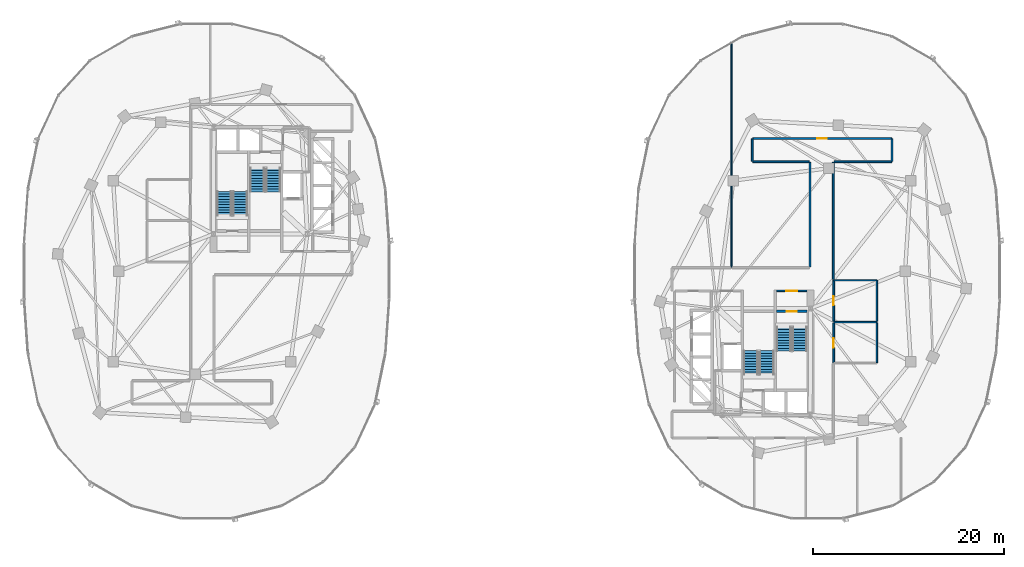
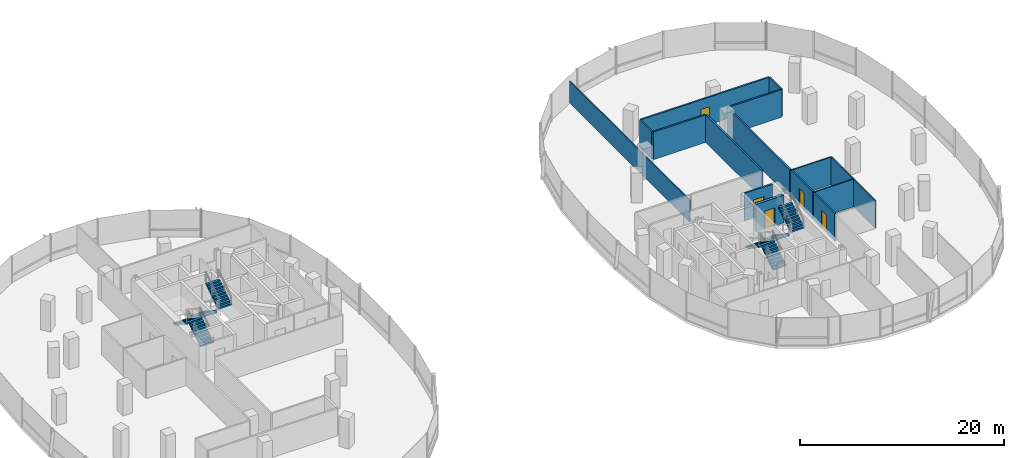
# One storey, part 13 of 20: 16 walls, 8 stair flights, 5 doors, 5 openings, 4 elements without a shape of their own.
"""IFC4 building model written with IfcOpenShell, lengths in metres."""

from ifc_helpers import new_model, si_unit, direction, frame, frame_2d, origin, place, context, subcontext, project, spatial, polyline, rectangle, outline, extrude, material, layer, layer_set, type_object, element, fill, aggregate, save


model = new_model("IFC4")

# Units and contexts
model_context = context("Model", 3, precision=1e-05, world=origin(), true_north=direction((0.0, 1.0)))
body_context = subcontext(model_context, "Body", "Model", "MODEL_VIEW")
ifc_project = project(units=[si_unit("LENGTHUNIT", "METRE"), si_unit("AREAUNIT", "SQUARE_METRE"), si_unit("VOLUMEUNIT", "CUBIC_METRE"), si_unit("PLANEANGLEUNIT", "RADIAN"), si_unit("MASSUNIT", "GRAM", prefix="KILO"), si_unit("THERMODYNAMICTEMPERATUREUNIT", "KELVIN"), si_unit("POWERUNIT", "WATT")], contexts=[model_context])

# Site, building, storey
site_placement = place(None, origin())
site = spatial("IfcSite", under=ifc_project, at=site_placement, CompositionType="ELEMENT")
building_placement = place(site_placement, origin())
building = spatial("IfcBuilding", under=site, at=building_placement, Name="Cundina Bronze Exchange", CompositionType="ELEMENT")
storey_placement = place(building_placement, frame((0.0, 0.0, 125.0)))
storey = spatial("IfcBuildingStorey", under=building, at=storey_placement, Name="L32", CompositionType="ELEMENT", Elevation=125.0)

# Wall, opening, door
ifc_material_1 = material(Name="Gypsum Fireboard Partition EI120")
ifc_layer_1 = layer(ifc_material_1, 0.179931640625, Name="Gypsum Fireboard Partition EI120")
ifc_layer_set_1 = layer_set([ifc_layer_1], Name="Gypsum Fireboard Partition EI120")
wall_type_1 = type_object("IfcWallType", Name="WL-COR-180", PredefinedType="PARTITIONING", material=ifc_layer_set_1)
wall_1_placement = place(storey_placement, frame((27.739990234375, -2.06005859375, 0.0), z_axis=(0.0, 0.0, 1.0), x_axis=(1.0, 0.0, 0.0)))
wall_1 = element("IfcWall", 1, at=wall_1_placement, inside=storey, type_object=wall_type_1, Name="L32 E Stair Vestibule Exit Wall", PredefinedType="PARTITIONING", context=body_context, shape_type="SweptSolid", body=[
    extrude(rectangle(XDim=3.159912109375, YDim=0.179931640625, at=frame_2d((1.580078125, 0.0))), origin(), (0.0, 0.0, 1.0), 3.300048828125),
])
opening_1_placement = place(wall_1_placement, frame((0.97998046875, 0.0, 0.0)))
opening_1 = element("IfcOpeningElement", 2, at=opening_1_placement, cuts=wall_1, Name="Opening DF-01", PredefinedType="OPENING", context=body_context, shape_type="SweptSolid", body=[
    extrude(rectangle(XDim=1.199951171875, YDim=2.14990234375, at=frame_2d((0.60009765625, 1.074951171875))), frame((0.0, 0.099853515625, 0.0), z_axis=(0.0, -1.0, 0.0), x_axis=(1.0, 0.0, 0.0)), (0.0, 0.0, 1.0), 0.199951171875),
])
ifc_material_2 = material(Name="Steel ASTM A36 Painted", Category="steel")
door_type_1 = type_object("IfcDoorType", Name="DR-FFL-1200", OperationType="NOTDEFINED", PredefinedType="DOOR", material=ifc_material_2)
door_1_placement = place(opening_1_placement, origin())
door_1 = element("IfcDoor", 3, at=door_1_placement, inside=storey, type_object=door_type_1, Name="L32 E Stair Vestibule Door", OperationType="SINGLE_SWING_RIGHT", OverallHeight=2.14990234375, OverallWidth=1.199951171875, PredefinedType="DOOR", context=body_context, shape_type="SweptSolid", body=[
    extrude(rectangle(XDim=1.199951171875, YDim=2.14990234375, at=frame_2d((0.60009765625, 1.074951171875))), frame((0.0, 0.02490234375, 0.0), z_axis=(0.0, -1.0, 0.0), x_axis=(1.0, 0.0, 0.0)), (0.0, 0.0, 1.0), 0.050048828125),
])
fill(opening_1, door_1)

wall_2_placement = place(storey_placement, frame((33.719970703125, -5.22998046875, 0.0), z_axis=(0.0, 0.0, 1.0), x_axis=(0.0, 1.0, 0.0)))
wall_2 = element("IfcWall", 4, at=wall_2_placement, inside=storey, type_object=wall_type_1, Name="L32 Interior Partition 040", PredefinedType="PARTITIONING", context=body_context, shape_type="SweptSolid", body=[
    extrude(rectangle(XDim=4.260009765625, YDim=0.179931640625, at=frame_2d((2.1298828125, 0.0))), origin(), (0.0, 0.0, 1.0), 3.300048828125),
])
opening_2_placement = place(wall_2_placement, frame((1.655029296875, 0.0, 0.0)))
opening_2 = element("IfcOpeningElement", 5, at=opening_2_placement, cuts=wall_2, Name="Opening DW-01", PredefinedType="OPENING", context=body_context, shape_type="SweptSolid", body=[
    extrude(rectangle(XDim=0.949951171875, YDim=2.10009765625, at=frame_2d((0.47509765625, 1.050048828125))), frame((0.0, 0.099853515625, 0.0), z_axis=(0.0, -1.0, 0.0), x_axis=(1.0, 0.0, 0.0)), (0.0, 0.0, 1.0), 0.199951171875),
])
ifc_material_3 = material(Name="Solid Andean Oak Timber Grade A", Category="wood")
door_type_2 = type_object("IfcDoorType", Name="DR-WC-950", OperationType="NOTDEFINED", PredefinedType="DOOR", material=ifc_material_3)
door_2_placement = place(opening_2_placement, origin())
door_2 = element("IfcDoor", 6, at=door_2_placement, inside=storey, type_object=door_type_2, Name="L32 Interior Door 040", OperationType="SINGLE_SWING_RIGHT", OverallHeight=2.10009765625, OverallWidth=0.949951171875, PredefinedType="DOOR", context=body_context, shape_type="SweptSolid", body=[
    extrude(rectangle(XDim=0.949951171875, YDim=2.10009765625, at=frame_2d((0.47509765625, 1.050048828125))), frame((0.0, 0.02490234375, 0.0), z_axis=(0.0, -1.0, 0.0), x_axis=(1.0, 0.0, 0.0)), (0.0, 0.0, 1.0), 0.050048828125),
])
fill(opening_2, door_2)

wall_3_placement = place(storey_placement, frame((33.719970703125, -9.590087890625, 0.0), z_axis=(0.0, 0.0, 1.0), x_axis=(0.0, 1.0, 0.0)))
wall_3 = element("IfcWall", 7, at=wall_3_placement, inside=storey, type_object=wall_type_1, Name="L32 Interior Partition 041", PredefinedType="PARTITIONING", context=body_context, shape_type="SweptSolid", body=[
    extrude(rectangle(XDim=4.16015625, YDim=0.179931640625, at=frame_2d((2.080078125, 0.0))), origin(), (0.0, 0.0, 1.0), 3.300048828125),
])
opening_3_placement = place(wall_3_placement, frame((1.580078125, 0.0, 0.0)))
opening_3 = element("IfcOpeningElement", 8, at=opening_3_placement, cuts=wall_3, Name="Opening DO-01", PredefinedType="OPENING", context=body_context, shape_type="SweptSolid", body=[
    extrude(rectangle(XDim=1.0, YDim=2.14990234375, at=frame_2d((0.5, 1.074951171875))), frame((0.0, 0.099853515625, 0.0), z_axis=(0.0, -1.0, 0.0), x_axis=(1.0, 0.0, 0.0)), (0.0, 0.0, 1.0), 0.199951171875),
])
door_type_3 = type_object("IfcDoorType", Name="DR-OFF-1000", OperationType="NOTDEFINED", PredefinedType="DOOR", material=ifc_material_3)
door_3_placement = place(opening_3_placement, origin())
door_3 = element("IfcDoor", 9, at=door_3_placement, inside=storey, type_object=door_type_3, Name="L32 Interior Door 041", OperationType="SINGLE_SWING_RIGHT", OverallHeight=2.14990234375, OverallWidth=1.0, PredefinedType="DOOR", context=body_context, shape_type="SweptSolid", body=[
    extrude(rectangle(XDim=1.0, YDim=2.14990234375, at=frame_2d((0.5, 1.074951171875))), frame((0.0, 0.02490234375, 0.0), z_axis=(0.0, -1.0, 0.0), x_axis=(1.0, 0.0, 0.0)), (0.0, 0.0, 1.0), 0.050048828125),
])
fill(opening_3, door_3)

wall_4_placement = place(storey_placement, frame((39.778564453125, 13.919921875, 0.0), z_axis=(0.0, 0.0, 1.0), x_axis=(-1.0, 0.0, 0.0)))
wall_4 = element("IfcWall", 10, at=wall_4_placement, inside=storey, type_object=wall_type_1, Name="L32 Interior Partition 053", PredefinedType="PARTITIONING", context=body_context, shape_type="SweptSolid", body=[
    extrude(rectangle(XDim=14.55712890625, YDim=0.179931640625, at=frame_2d((7.278564453125, 0.0))), origin(), (0.0, 0.0, 1.0), 3.300048828125),
])
opening_4_placement = place(wall_4_placement, frame((6.778564453125, 0.0, 0.0)))
opening_4 = element("IfcOpeningElement", 11, at=opening_4_placement, cuts=wall_4, Name="Opening DO-01", PredefinedType="OPENING", context=body_context, shape_type="SweptSolid", body=[
    extrude(rectangle(XDim=1.0, YDim=2.14990234375, at=frame_2d((0.5, 1.074951171875))), frame((0.0, 0.099853515625, 0.0), z_axis=(0.0, -1.0, 0.0), x_axis=(1.0, 0.0, 0.0)), (0.0, 0.0, 1.0), 0.199951171875),
])
door_4_placement = place(opening_4_placement, origin())
door_4 = element("IfcDoor", 12, at=door_4_placement, inside=storey, type_object=door_type_3, Name="L32 Interior Door 053", OperationType="SINGLE_SWING_RIGHT", OverallHeight=2.14990234375, OverallWidth=1.0, PredefinedType="DOOR", context=body_context, shape_type="SweptSolid", body=[
    extrude(rectangle(XDim=1.0, YDim=2.14990234375, at=frame_2d((0.5, 1.074951171875))), frame((0.0, 0.02490234375, 0.0), z_axis=(0.0, -1.0, 0.0), x_axis=(1.0, 0.0, 0.0)), (0.0, 0.0, 1.0), 0.050048828125),
])
fill(opening_4, door_4)

# Walls
wall_5_placement = place(storey_placement, frame((33.669921875, -0.858642578125, 0.0), z_axis=(0.0, 0.0, 1.0), x_axis=(0.0, 1.0, 0.0)))
element("IfcWall", 13, at=wall_5_placement, inside=storey, type_object=wall_type_1, Name="L32 Interior Partition 054", PredefinedType="PARTITIONING", context=body_context, shape_type="SweptSolid", body=[
    extrude(rectangle(XDim=12.258544921875, YDim=0.179931640625, at=frame_2d((6.12939453125, 0.0))), origin(), (0.0, 0.0, 1.0), 3.300048828125),
])
wall_6_placement = place(storey_placement, frame((31.22998046875, 11.39990234375, 0.0), z_axis=(0.0, 0.0, 1.0), x_axis=(0.0, -1.0, 0.0)))
element("IfcWall", 14, at=wall_6_placement, inside=storey, type_object=wall_type_1, Name="L32 Interior Partition 055", PredefinedType="PARTITIONING", context=body_context, shape_type="SweptSolid", body=[
    extrude(rectangle(XDim=10.949951171875, YDim=0.179931640625, at=frame_2d((5.47509765625, 0.0))), origin(), (0.0, 0.0, 1.0), 3.300048828125),
])
wall_7_placement = place(storey_placement, frame((33.75, 11.47998046875, 0.0), z_axis=(0.0, 0.0, 1.0), x_axis=(1.0, 0.0, 0.0)))
element("IfcWall", 15, at=wall_7_placement, inside=storey, type_object=wall_type_1, Name="L32 Interior Partition 058", PredefinedType="PARTITIONING", context=body_context, shape_type="SweptSolid", body=[
    extrude(rectangle(XDim=6.028564453125, YDim=0.179931640625, at=frame_2d((3.01416015625, 0.0))), origin(), (0.0, 0.0, 1.0), 3.300048828125),
])
wall_8_placement = place(storey_placement, frame((25.221435546875, 11.47998046875, 0.0), z_axis=(0.0, 0.0, 1.0), x_axis=(1.0, 0.0, 0.0)))
element("IfcWall", 16, at=wall_8_placement, inside=storey, type_object=wall_type_1, Name="L32 Interior Partition 059", PredefinedType="PARTITIONING", context=body_context, shape_type="SweptSolid", body=[
    extrude(rectangle(XDim=5.928466796875, YDim=0.179931640625, at=frame_2d((2.96435546875, 0.0))), origin(), (0.0, 0.0, 1.0), 3.300048828125),
])
for number, where, z_axis, x_axis, name in (
    (17, (39.820068359375, 11.521484375, 0.0), (0.0, 0.0, 1.0), (0.0, 1.0, 0.0), "L32 Interior Partition 061"),
    (18, (25.179931640625, 13.87841796875, 0.0), (0.0, 0.0, 1.0), (0.0, -1.0, 0.0), "L32 Interior Partition 062"),
):
    element("IfcWall", number, at=place(storey_placement, frame(where, z_axis=z_axis, x_axis=x_axis)), inside=storey, type_object=wall_type_1, Name=name, PredefinedType="PARTITIONING", context=body_context, shape_type="SweptSolid", body=[
        extrude(rectangle(XDim=2.35693359375, YDim=0.179931640625, at=frame_2d((1.178466796875, 0.0))), origin(), (0.0, 0.0, 1.0), 3.300048828125),
    ])
ifc_material_4 = material(Name="Gypsum Acoustic Partition EI60")
ifc_layer_2 = layer(ifc_material_4, 0.125, Name="Gypsum Acoustic Partition EI60")
ifc_layer_set_2 = layer_set([ifc_layer_2], Name="Gypsum Acoustic Partition EI60")
wall_type_2 = type_object("IfcWallType", Name="WL-OFF-125", PredefinedType="PARTITIONING", material=ifc_layer_set_2)
wall_9_placement = place(storey_placement, frame((23.010009765625, 0.39990234375, 0.0), z_axis=(0.0, 0.0, 1.0), x_axis=(0.0, 1.0, 0.0)))
element("IfcWall", 19, at=wall_9_placement, inside=storey, type_object=wall_type_2, Name="L32 Interior Partition 042", PredefinedType="PARTITIONING", context=body_context, shape_type="SweptSolid", body=[
    extrude(rectangle(XDim=23.631103515625, YDim=0.125, at=frame_2d((11.8154296875, 0.0))), origin(), (0.0, 0.0, 1.0), 2.60498046875),
])

# Wall, opening, door
ifc_material_5 = material(Name="Concrete C50/60", Category="concrete")
ifc_layer_3 = layer(ifc_material_5, 0.300048828125, Name="Concrete C50/60", Category="concrete")
ifc_layer_set_3 = layer_set([ifc_layer_3], Name="Concrete C50/60")
wall_type_3 = type_object("IfcWallType", Name="WL-SHFT-300", PredefinedType="SHEAR", material=ifc_layer_set_3)
wall_10_placement = place(storey_placement, frame((27.739990234375, -4.199951171875, 0.0), z_axis=(0.0, 0.0, 1.0), x_axis=(1.0, 0.0, 0.0)))
wall_10 = element("IfcWall", 20, at=wall_10_placement, inside=storey, type_object=wall_type_3, Name="L32 Stair E1 Landing Wall", PredefinedType="SHEAR", context=body_context, shape_type="SweptSolid", body=[
    extrude(rectangle(XDim=3.159912109375, YDim=0.300048828125, at=frame_2d((1.580078125, 0.0))), origin(), (0.0, 0.0, 1.0), 3.300048828125),
])
opening_5_placement = place(wall_10_placement, frame((1.030029296875, 0.0, 0.0)))
opening_5 = element("IfcOpeningElement", 21, at=opening_5_placement, cuts=wall_10, Name="Opening DS-01", PredefinedType="OPENING", context=body_context, shape_type="SweptSolid", body=[
    extrude(rectangle(XDim=1.10009765625, YDim=2.14990234375, at=frame_2d((0.550048828125, 1.074951171875))), frame((0.0, 0.159912109375, 0.0), z_axis=(0.0, -1.0, 0.0), x_axis=(1.0, 0.0, 0.0)), (0.0, 0.0, 1.0), 0.320068359375),
])
door_type_4 = type_object("IfcDoorType", Name="DR-STR-1100", OperationType="NOTDEFINED", PredefinedType="DOOR", material=ifc_material_2)
door_5_placement = place(opening_5_placement, origin())
door_5 = element("IfcDoor", 22, at=door_5_placement, inside=storey, type_object=door_type_4, Name="L32 Smokeproof Stair E1 Door", OperationType="SINGLE_SWING_LEFT", OverallHeight=2.14990234375, OverallWidth=1.10009765625, PredefinedType="DOOR", context=body_context, shape_type="SweptSolid", body=[
    extrude(rectangle(XDim=1.10009765625, YDim=2.14990234375, at=frame_2d((0.550048828125, 1.074951171875))), frame((0.0, 0.02490234375, 0.0), z_axis=(0.0, -1.0, 0.0), x_axis=(1.0, 0.0, 0.0)), (0.0, 0.0, 1.0), 0.050048828125),
])
fill(opening_5, door_5)

# Walls
ifc_material_6 = material(Name="Moisture-Resistant Masonry Block Grade M15", Category="masonry")
ifc_layer_4 = layer(ifc_material_6, 0.139892578125, Name="Moisture-Resistant Masonry Block Grade M15", Category="masonry")
ifc_layer_set_4 = layer_set([ifc_layer_4], Name="Moisture-Resistant Masonry Block Grade M15")
wall_type_4 = type_object("IfcWallType", Name="WL-WET-140", PredefinedType="PARTITIONING", material=ifc_layer_set_4)
wall_11_placement = place(storey_placement, frame((38.239990234375, -9.590087890625, 0.0), z_axis=(0.0, 0.0, 1.0), x_axis=(0.0, 1.0, 0.0)))
element("IfcWall", 23, at=wall_11_placement, inside=storey, type_object=wall_type_4, Name="L32 Interior Partition 035", PredefinedType="PARTITIONING", context=body_context, shape_type="SweptSolid", body=[
    extrude(rectangle(XDim=4.175048828125, YDim=0.139892578125, at=frame_2d((2.08740234375, 0.0))), origin(), (0.0, 0.0, 1.0), 3.300048828125),
])
wall_12_placement = place(storey_placement, frame((38.239990234375, -5.2451171875, 0.0), z_axis=(0.0, 0.0, 1.0), x_axis=(0.0, 1.0, 0.0)))
element("IfcWall", 24, at=wall_12_placement, inside=storey, type_object=wall_type_4, Name="L32 Interior Partition 036", PredefinedType="PARTITIONING", context=body_context, shape_type="SweptSolid", body=[
    extrude(rectangle(XDim=4.275146484375, YDim=0.139892578125, at=frame_2d((2.1376953125, 0.0))), origin(), (0.0, 0.0, 1.0), 3.300048828125),
])
for number, where, z_axis, x_axis, name in (
    (25, (33.739990234375, -0.949951171875, 0.0), (0.0, 0.0, 1.0), (1.0, 0.0, 0.0), "L32 Interior Partition 037"),
    (26, (33.739990234375, -5.330078125, 0.0), (0.0, 0.0, 1.0), (1.0, 0.0, 0.0), "L32 Interior Partition 038"),
):
    element("IfcWall", number, at=place(storey_placement, frame(where, z_axis=z_axis, x_axis=x_axis)), inside=storey, type_object=wall_type_4, Name=name, PredefinedType="PARTITIONING", context=body_context, shape_type="SweptSolid", body=[
        extrude(rectangle(XDim=4.47998046875, YDim=0.139892578125, at=frame_2d((2.239990234375, 0.0))), origin(), (0.0, 0.0, 1.0), 3.300048828125),
    ])

# Stair, stair flights
ifc_material_7 = material(Name="Concrete C40/50", Category="concrete")
stair_type = type_object("IfcStairType", Name="STR-OFF-360", PredefinedType="HALF_TURN_STAIR", material=ifc_material_7)
stair_1_placement = place(storey_placement, origin())
stair_1 = element("IfcStair", 27, at=stair_1_placement, inside=storey, type_object=stair_type, Name="L32 Smokeproof Exit Stair W1", PredefinedType="HALF_TURN_STAIR")
stair_flight_type = type_object("IfcStairFlightType", Name="FLG-OFF-180", PredefinedType="STRAIGHT", material=ifc_material_7)
stair_flight_1_placement = place(storey_placement, frame((-28.489990234375, 5.85009765625, 0.0), z_axis=(0.0, 0.0, 1.0), x_axis=(0.0, 1.0, 0.0)))
stair_flight_1 = element("IfcStairFlight", 28, at=stair_flight_1_placement, type_object=stair_flight_type, Name="ST-W1 flight 1", NumberOfRisers=10, NumberOfTreads=9, PredefinedType="STRAIGHT", RiserHeight=0.18, TreadLength=0.28, context=body_context, shape_type="SweptSolid", body=[
    extrude(outline(polyline([(0.0, 0.0), (0.0, 0.179931640625), (0.280029296875, 0.179931640625), (0.280029296875, 0.360107421875), (0.56005859375, 0.360107421875), (0.56005859375, 0.5400390625), (0.840087890625, 0.5400390625), (0.840087890625, 0.719970703125), (1.1201171875, 0.719970703125), (1.1201171875, 0.89990234375), (1.39990234375, 0.89990234375), (1.39990234375, 1.080078125), (1.679931640625, 1.080078125), (1.679931640625, 1.260009765625), (1.9599609375, 1.260009765625), (1.9599609375, 1.43994140625), (2.239990234375, 1.43994140625), (2.239990234375, 1.6201171875), (2.52001953125, 1.6201171875), (2.52001953125, 1.800048828125), (2.52001953125, 1.44189453125), (0.277099609375, 0.0), (0.0, 0.0)])), frame((0.0, 0.75, 0.0), z_axis=(0.0, -1.0, 0.0), x_axis=(1.0, 0.0, 0.0)), (0.0, 0.0, 1.0), 1.5),
])
stair_flight_2_placement = place(storey_placement, frame((-30.14990234375, 8.3701171875, 1.800048828125), z_axis=(0.0, 0.0, 1.0), x_axis=(0.0, -1.0, 0.0)))
stair_flight_2 = element("IfcStairFlight", 29, at=stair_flight_2_placement, type_object=stair_flight_type, Name="ST-W1 flight 2", NumberOfRisers=10, NumberOfTreads=9, PredefinedType="STRAIGHT", RiserHeight=0.18, TreadLength=0.28, context=body_context, shape_type="SweptSolid", body=[
    extrude(outline(polyline([(0.0, 0.0), (0.0, 0.179931640625), (0.280029296875, 0.179931640625), (0.280029296875, 0.360107421875), (0.56005859375, 0.360107421875), (0.56005859375, 0.5400390625), (0.840087890625, 0.5400390625), (0.840087890625, 0.719970703125), (1.1201171875, 0.719970703125), (1.1201171875, 0.89990234375), (1.39990234375, 0.89990234375), (1.39990234375, 1.080078125), (1.679931640625, 1.080078125), (1.679931640625, 1.260009765625), (1.9599609375, 1.260009765625), (1.9599609375, 1.43994140625), (2.239990234375, 1.43994140625), (2.239990234375, 1.6201171875), (2.52001953125, 1.6201171875), (2.52001953125, 1.800048828125), (2.52001953125, 1.44189453125), (0.277099609375, 0.0), (0.0, 0.0)])), frame((0.0, 0.75, 0.0), z_axis=(0.0, -1.0, 0.0), x_axis=(1.0, 0.0, 0.0)), (0.0, 0.0, 1.0), 1.5),
])
aggregate(stair_1, [stair_flight_1, stair_flight_2])

stair_2_placement = place(storey_placement, origin())
stair_2 = element("IfcStair", 30, at=stair_2_placement, inside=storey, type_object=stair_type, Name="L32 Smokeproof Exit Stair W2", PredefinedType="HALF_TURN_STAIR")
stair_flight_3_placement = place(storey_placement, frame((-26.68994140625, 10.85009765625, 0.0), z_axis=(0.0, 0.0, 1.0), x_axis=(0.0, -1.0, 0.0)))
stair_flight_3 = element("IfcStairFlight", 31, at=stair_flight_3_placement, type_object=stair_flight_type, Name="ST-W2 flight 1", NumberOfRisers=10, NumberOfTreads=9, PredefinedType="STRAIGHT", RiserHeight=0.18, TreadLength=0.28, context=body_context, shape_type="SweptSolid", body=[
    extrude(outline(polyline([(0.0, 0.0), (0.0, 0.179931640625), (0.280029296875, 0.179931640625), (0.280029296875, 0.360107421875), (0.56005859375, 0.360107421875), (0.56005859375, 0.5400390625), (0.840087890625, 0.5400390625), (0.840087890625, 0.719970703125), (1.1201171875, 0.719970703125), (1.1201171875, 0.89990234375), (1.39990234375, 0.89990234375), (1.39990234375, 1.080078125), (1.679931640625, 1.080078125), (1.679931640625, 1.260009765625), (1.9599609375, 1.260009765625), (1.9599609375, 1.43994140625), (2.239990234375, 1.43994140625), (2.239990234375, 1.6201171875), (2.52001953125, 1.6201171875), (2.52001953125, 1.800048828125), (2.52001953125, 1.44189453125), (0.277099609375, 0.0), (0.0, 0.0)])), frame((0.0, 0.75, 0.0), z_axis=(0.0, -1.0, 0.0), x_axis=(1.0, 0.0, 0.0)), (0.0, 0.0, 1.0), 1.5),
])
stair_flight_4_placement = place(storey_placement, frame((-25.030029296875, 8.330078125, 1.800048828125), z_axis=(0.0, 0.0, 1.0), x_axis=(0.0, 1.0, 0.0)))
stair_flight_4 = element("IfcStairFlight", 32, at=stair_flight_4_placement, type_object=stair_flight_type, Name="ST-W2 flight 2", NumberOfRisers=10, NumberOfTreads=9, PredefinedType="STRAIGHT", RiserHeight=0.18, TreadLength=0.28, context=body_context, shape_type="SweptSolid", body=[
    extrude(outline(polyline([(0.0, 0.0), (0.0, 0.179931640625), (0.280029296875, 0.179931640625), (0.280029296875, 0.360107421875), (0.56005859375, 0.360107421875), (0.56005859375, 0.5400390625), (0.840087890625, 0.5400390625), (0.840087890625, 0.719970703125), (1.1201171875, 0.719970703125), (1.1201171875, 0.89990234375), (1.39990234375, 0.89990234375), (1.39990234375, 1.080078125), (1.679931640625, 1.080078125), (1.679931640625, 1.260009765625), (1.9599609375, 1.260009765625), (1.9599609375, 1.43994140625), (2.239990234375, 1.43994140625), (2.239990234375, 1.6201171875), (2.52001953125, 1.6201171875), (2.52001953125, 1.800048828125), (2.52001953125, 1.44189453125), (0.277099609375, 0.0), (0.0, 0.0)])), frame((0.0, 0.75, 0.0), z_axis=(0.0, -1.0, 0.0), x_axis=(1.0, 0.0, 0.0)), (0.0, 0.0, 1.0), 1.5),
])
aggregate(stair_2, [stair_flight_3, stair_flight_4])

stair_3_placement = place(storey_placement, origin())
stair_3 = element("IfcStair", 33, at=stair_3_placement, inside=storey, type_object=stair_type, Name="L32 Smokeproof Exit Stair E1", PredefinedType="HALF_TURN_STAIR")
stair_flight_5_placement = place(storey_placement, frame((28.489990234375, -5.85009765625, 0.0), z_axis=(0.0, 0.0, 1.0), x_axis=(0.0, -1.0, 0.0)))
stair_flight_5 = element("IfcStairFlight", 34, at=stair_flight_5_placement, type_object=stair_flight_type, Name="ST-E1 flight 1", NumberOfRisers=10, NumberOfTreads=9, PredefinedType="STRAIGHT", RiserHeight=0.18, TreadLength=0.28, context=body_context, shape_type="SweptSolid", body=[
    extrude(outline(polyline([(0.0, 0.0), (0.0, 0.179931640625), (0.280029296875, 0.179931640625), (0.280029296875, 0.360107421875), (0.56005859375, 0.360107421875), (0.56005859375, 0.5400390625), (0.840087890625, 0.5400390625), (0.840087890625, 0.719970703125), (1.1201171875, 0.719970703125), (1.1201171875, 0.89990234375), (1.39990234375, 0.89990234375), (1.39990234375, 1.080078125), (1.679931640625, 1.080078125), (1.679931640625, 1.260009765625), (1.9599609375, 1.260009765625), (1.9599609375, 1.43994140625), (2.239990234375, 1.43994140625), (2.239990234375, 1.6201171875), (2.52001953125, 1.6201171875), (2.52001953125, 1.800048828125), (2.52001953125, 1.44189453125), (0.277099609375, 0.0), (0.0, 0.0)])), frame((0.0, 0.75, 0.0), z_axis=(0.0, -1.0, 0.0), x_axis=(1.0, 0.0, 0.0)), (0.0, 0.0, 1.0), 1.5),
])
stair_flight_6_placement = place(storey_placement, frame((30.14990234375, -8.3701171875, 1.800048828125), z_axis=(0.0, 0.0, 1.0), x_axis=(0.0, 1.0, 0.0)))
stair_flight_6 = element("IfcStairFlight", 35, at=stair_flight_6_placement, type_object=stair_flight_type, Name="ST-E1 flight 2", NumberOfRisers=10, NumberOfTreads=9, PredefinedType="STRAIGHT", RiserHeight=0.18, TreadLength=0.28, context=body_context, shape_type="SweptSolid", body=[
    extrude(outline(polyline([(0.0, 0.0), (0.0, 0.179931640625), (0.280029296875, 0.179931640625), (0.280029296875, 0.360107421875), (0.56005859375, 0.360107421875), (0.56005859375, 0.5400390625), (0.840087890625, 0.5400390625), (0.840087890625, 0.719970703125), (1.1201171875, 0.719970703125), (1.1201171875, 0.89990234375), (1.39990234375, 0.89990234375), (1.39990234375, 1.080078125), (1.679931640625, 1.080078125), (1.679931640625, 1.260009765625), (1.9599609375, 1.260009765625), (1.9599609375, 1.43994140625), (2.239990234375, 1.43994140625), (2.239990234375, 1.6201171875), (2.52001953125, 1.6201171875), (2.52001953125, 1.800048828125), (2.52001953125, 1.44189453125), (0.277099609375, 0.0), (0.0, 0.0)])), frame((0.0, 0.75, 0.0), z_axis=(0.0, -1.0, 0.0), x_axis=(1.0, 0.0, 0.0)), (0.0, 0.0, 1.0), 1.5),
])
aggregate(stair_3, [stair_flight_5, stair_flight_6])

stair_4_placement = place(storey_placement, origin())
stair_4 = element("IfcStair", 36, at=stair_4_placement, inside=storey, type_object=stair_type, Name="L32 Smokeproof Exit Stair E2", PredefinedType="HALF_TURN_STAIR")
stair_flight_7_placement = place(storey_placement, frame((26.68994140625, -10.85009765625, 0.0), z_axis=(0.0, 0.0, 1.0), x_axis=(0.0, 1.0, 0.0)))
stair_flight_7 = element("IfcStairFlight", 37, at=stair_flight_7_placement, type_object=stair_flight_type, Name="ST-E2 flight 1", NumberOfRisers=10, NumberOfTreads=9, PredefinedType="STRAIGHT", RiserHeight=0.18, TreadLength=0.28, context=body_context, shape_type="SweptSolid", body=[
    extrude(outline(polyline([(0.0, 0.0), (0.0, 0.179931640625), (0.280029296875, 0.179931640625), (0.280029296875, 0.360107421875), (0.56005859375, 0.360107421875), (0.56005859375, 0.5400390625), (0.840087890625, 0.5400390625), (0.840087890625, 0.719970703125), (1.1201171875, 0.719970703125), (1.1201171875, 0.89990234375), (1.39990234375, 0.89990234375), (1.39990234375, 1.080078125), (1.679931640625, 1.080078125), (1.679931640625, 1.260009765625), (1.9599609375, 1.260009765625), (1.9599609375, 1.43994140625), (2.239990234375, 1.43994140625), (2.239990234375, 1.6201171875), (2.52001953125, 1.6201171875), (2.52001953125, 1.800048828125), (2.52001953125, 1.44189453125), (0.277099609375, 0.0), (0.0, 0.0)])), frame((0.0, 0.75, 0.0), z_axis=(0.0, -1.0, 0.0), x_axis=(1.0, 0.0, 0.0)), (0.0, 0.0, 1.0), 1.5),
])
stair_flight_8_placement = place(storey_placement, frame((25.030029296875, -8.330078125, 1.800048828125), z_axis=(0.0, 0.0, 1.0), x_axis=(0.0, -1.0, 0.0)))
stair_flight_8 = element("IfcStairFlight", 38, at=stair_flight_8_placement, type_object=stair_flight_type, Name="ST-E2 flight 2", NumberOfRisers=10, NumberOfTreads=9, PredefinedType="STRAIGHT", RiserHeight=0.18, TreadLength=0.28, context=body_context, shape_type="SweptSolid", body=[
    extrude(outline(polyline([(0.0, 0.0), (0.0, 0.179931640625), (0.280029296875, 0.179931640625), (0.280029296875, 0.360107421875), (0.56005859375, 0.360107421875), (0.56005859375, 0.5400390625), (0.840087890625, 0.5400390625), (0.840087890625, 0.719970703125), (1.1201171875, 0.719970703125), (1.1201171875, 0.89990234375), (1.39990234375, 0.89990234375), (1.39990234375, 1.080078125), (1.679931640625, 1.080078125), (1.679931640625, 1.260009765625), (1.9599609375, 1.260009765625), (1.9599609375, 1.43994140625), (2.239990234375, 1.43994140625), (2.239990234375, 1.6201171875), (2.52001953125, 1.6201171875), (2.52001953125, 1.800048828125), (2.52001953125, 1.44189453125), (0.277099609375, 0.0), (0.0, 0.0)])), frame((0.0, 0.75, 0.0), z_axis=(0.0, -1.0, 0.0), x_axis=(1.0, 0.0, 0.0)), (0.0, 0.0, 1.0), 1.5),
])
aggregate(stair_4, [stair_flight_7, stair_flight_8])

save(model, "model.ifc")
